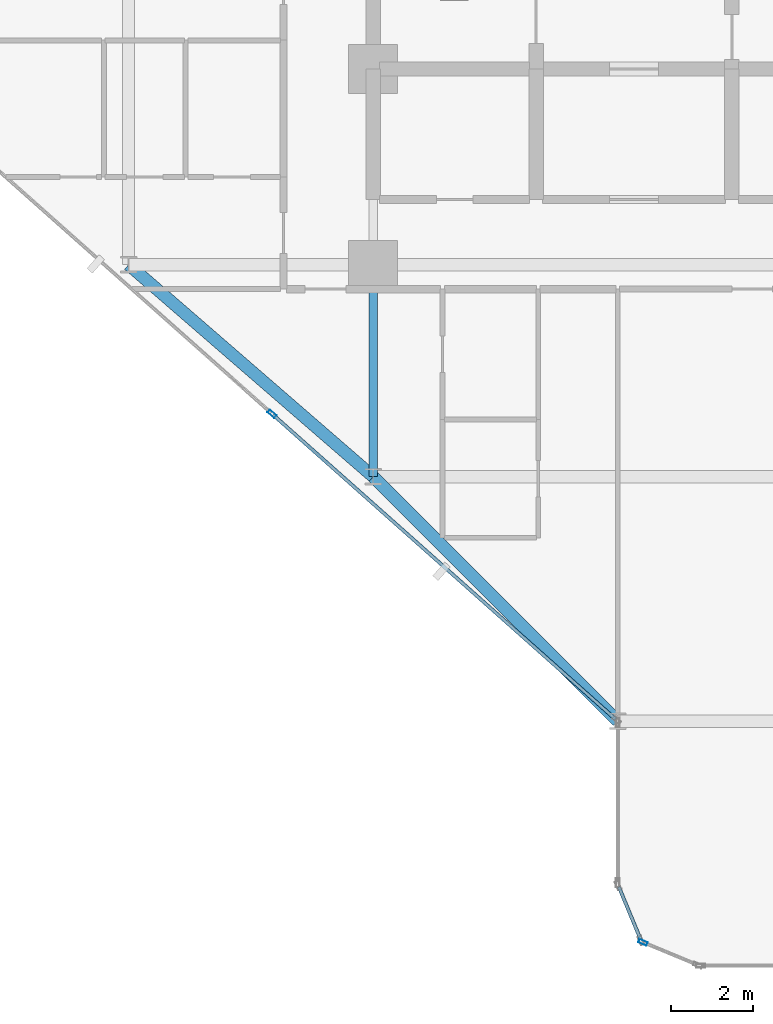
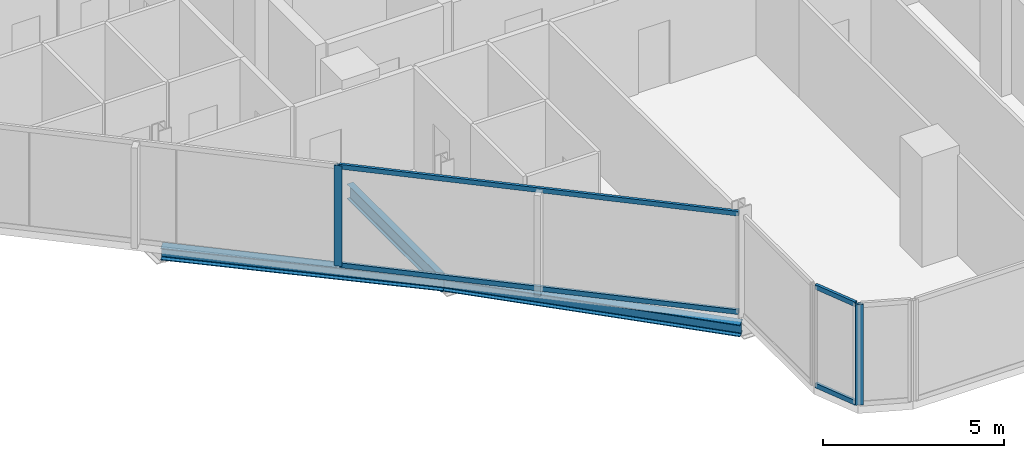
# One storey, part 3 of 34: 6 members, 3 beams, 3 elements without a shape of their own.
"""IFC4 building model written with IfcOpenShell, lengths in metres."""

from ifc_helpers import new_model, si_unit, direction, frame, origin, origin_2d, place, context, subcontext, project, spatial, hollow_rectangle, i_section, extrude, material, layer, layer_set, material_profile, profile_set, type_object, element, aggregate, save


model = new_model("IFC4")

# Units and contexts
model_context = context("Model", 3, precision=1e-05, world=origin(), true_north=direction((0.0, 1.0)))
body_context = subcontext(model_context, "Body", "Model", "MODEL_VIEW")
ifc_project = project(units=[si_unit("LENGTHUNIT", "METRE"), si_unit("AREAUNIT", "SQUARE_METRE"), si_unit("VOLUMEUNIT", "CUBIC_METRE"), si_unit("PLANEANGLEUNIT", "RADIAN"), si_unit("MASSUNIT", "GRAM", prefix="KILO")], contexts=[model_context])

# Site, building, storey
site_placement = place(None, origin())
site = spatial("IfcSite", under=ifc_project, at=site_placement, CompositionType="ELEMENT")
building_placement = place(site_placement, origin())
building = spatial("IfcBuilding", under=site, at=building_placement, Name="Keshet Zoharim Tower", CompositionType="ELEMENT")
storey_placement = place(building_placement, frame((0.0, 0.0, 53.60009765625)))
storey = spatial("IfcBuildingStorey", under=building, at=storey_placement, Name="L12", CompositionType="ELEMENT", Elevation=53.60009765625)

# Beams
ifc_material_1 = material(Name="Steel S355", Category="steel")
ifc_material_profile_1 = material_profile(ifc_material_1, i_section(OverallWidth=0.199951171875, OverallDepth=0.5, WebThickness=0.01025390625, FlangeThickness=0.01611328125, FilletRadius=0.02099609375, at=origin_2d()), Name="IPE500")
ifc_profile_set_1 = profile_set([ifc_material_profile_1], Name="Steel S355")
beam_type_1 = type_object("IfcBeamType", Name="BM-PRI-IP500", PredefinedType="BEAM", material=ifc_profile_set_1)
beam_1_placement = place(storey_placement, frame((15.0, 12.699951171875, -0.565185546875), z_axis=(0.0, 1.0, 0.0), x_axis=(-1.0, 0.0, 0.0)))
element("IfcBeam", 1, at=beam_1_placement, inside=storey, type_object=beam_type_1, Name="L12 Primary Girder Y-002", PredefinedType="BEAM", context=body_context, shape_type="SweptSolid", body=[
    extrude(i_section(OverallWidth=0.199951171875, OverallDepth=0.5, WebThickness=0.01025390625, FlangeThickness=0.01611328125, FilletRadius=0.02099609375, at=origin_2d()), origin(), (0.0, 0.0, 1.0), 5.199951171875),
])
ifc_material_profile_2 = material_profile(ifc_material_1, i_section(OverallWidth=0.300048828125, OverallDepth=0.39990234375, WebThickness=0.013427734375, FlangeThickness=0.02392578125, FilletRadius=0.027099609375, at=origin_2d()), Name="HEB400")
ifc_profile_set_2 = profile_set([ifc_material_profile_2], Name="Steel S355")
beam_type_2 = type_object("IfcBeamType", Name="BM-SPN-HB400", PredefinedType="SPANDREL", material=ifc_profile_set_2)
beam_2_placement = place(storey_placement, frame((21.0, 6.699951171875, -0.51513671875), z_axis=(-0.707106781187, 0.707106781187, 0.0), x_axis=(-0.707106781187, -0.707106781187, 0.0)))
element("IfcBeam", 2, at=beam_2_placement, inside=storey, type_object=beam_type_2, Name="L12 Perimeter Spandrel Beam 01", PredefinedType="SPANDREL", context=body_context, shape_type="SweptSolid", body=[
    extrude(i_section(OverallWidth=0.300048828125, OverallDepth=0.39990234375, WebThickness=0.013427734375, FlangeThickness=0.02392578125, FilletRadius=0.027099609375, at=origin_2d()), origin(), (0.0, 0.0, 1.0), 8.4853515625),
])
beam_3_placement = place(storey_placement, frame((9.0, 17.89990234375, -0.51513671875), z_axis=(0.755692126483, -0.654927026447, 0.0), x_axis=(0.654927026447, 0.755692126483, 0.0)))
element("IfcBeam", 3, at=beam_3_placement, inside=storey, type_object=beam_type_2, Name="L12 Perimeter Spandrel Beam 02", PredefinedType="SPANDREL", context=body_context, shape_type="SweptSolid", body=[
    extrude(i_section(OverallWidth=0.300048828125, OverallDepth=0.39990234375, WebThickness=0.013427734375, FlangeThickness=0.02392578125, FilletRadius=0.027099609375, at=origin_2d()), origin(), (0.0, 0.0, 1.0), 7.939697265625),
])

# Curtain wall, member
ifc_material_2 = material(Name="Aluminium 6063-T6", Category="aluminium")
ifc_layer = layer(ifc_material_2, 0.179931640625)
ifc_layer_set = layer_set([ifc_layer], Name="Aluminium 6063-T6")
curtain_wall_type = type_object("IfcCurtainWallType", Name="CW-SYS-01", PredefinedType="NOTDEFINED", material=ifc_layer_set)
curtain_wall_1_placement = place(storey_placement, origin())
curtain_wall_1 = element("IfcCurtainWall", 4, at=curtain_wall_1_placement, inside=storey, type_object=curtain_wall_type, Name="L12 Unitised Curtain Wall 01", PredefinedType="NOTDEFINED")
ifc_material_profile_3 = material_profile(ifc_material_2, hollow_rectangle(XDim=0.090087890625, YDim=0.219970703125, WallThickness=0.0048828125, at=origin_2d()), Name="MUL-90x220")
ifc_profile_set_3 = profile_set([ifc_material_profile_3], Name="Aluminium 6063-T6")
member_type_1 = type_object("IfcMemberType", Name="CWM-M22", PredefinedType="MULLION", material=ifc_profile_set_3)
member_1_placement = place(storey_placement, frame((12.517578125, 14.239990234375, 0.0), z_axis=(0.0, 0.0, 1.0), x_axis=(-0.664363838836, -0.747409318679, 0.0)))
member_1 = element("IfcMember", 5, at=member_1_placement, type_object=member_type_1, Name="CW-01 mullion 2", PredefinedType="MULLION", context=body_context, shape_type="SweptSolid", body=[
    extrude(hollow_rectangle(XDim=0.090087890625, YDim=0.219970703125, WallThickness=0.0048828125, at=origin_2d()), origin(), (0.0, 0.0, 1.0), 3.385009765625),
])

curtain_wall_2_placement = place(storey_placement, origin())
curtain_wall_2 = element("IfcCurtainWall", 6, at=curtain_wall_2_placement, inside=storey, type_object=curtain_wall_type, Name="L12 Unitised Curtain Wall 27", PredefinedType="NOTDEFINED")
member_2_placement = place(storey_placement, frame((21.618408203125, 1.272705078125, 0.0), z_axis=(0.0, 0.0, 1.0), x_axis=(-0.382851849847, -0.92380975372, 0.0)))
member_2 = element("IfcMember", 7, at=member_2_placement, type_object=member_type_1, Name="CW-01 mullion 2", PredefinedType="MULLION", context=body_context, shape_type="SweptSolid", body=[
    extrude(hollow_rectangle(XDim=0.090087890625, YDim=0.219970703125, WallThickness=0.0048828125, at=origin_2d()), origin(), (0.0, 0.0, 1.0), 3.385009765625),
])
aggregate(curtain_wall_2, [member_2])

# Member
ifc_material_profile_4 = material_profile(ifc_material_2, hollow_rectangle(XDim=0.0849609375, YDim=0.159912109375, WallThickness=0.00439453125, at=origin_2d()), Name="TRN-85x160")
ifc_profile_set_4 = profile_set([ifc_material_profile_4], Name="Aluminium 6063-T6")
member_type_2 = type_object("IfcMemberType", Name="CWT-T16", PredefinedType="USERDEFINED", material=ifc_profile_set_4)
member_3_placement = place(storey_placement, frame((20.94775390625, 6.74658203125, 0.034912109375), z_axis=(-0.747411714548, 0.664361143472, 0.0), x_axis=(-0.664361143472, -0.747411714548, 0.0)))
member_3 = element("IfcMember", 8, at=member_3_placement, type_object=member_type_2, Name="CW-01 transom 1.1", ObjectType="TRANSOM", PredefinedType="USERDEFINED", context=body_context, shape_type="SweptSolid", body=[
    extrude(hollow_rectangle(XDim=0.0849609375, YDim=0.159912109375, WallThickness=0.00439453125, at=origin_2d()), origin(), (0.0, 0.0, 1.0), 11.244140625),
])

member_4_placement = place(storey_placement, frame((20.94775390625, 6.74658203125, 3.349853515625), z_axis=(-0.747411714548, 0.664361143472, 0.0), x_axis=(-0.664361143472, -0.747411714548, 0.0)))
member_4 = element("IfcMember", 9, at=member_4_placement, type_object=member_type_2, Name="CW-01 transom 1.2", ObjectType="TRANSOM", PredefinedType="USERDEFINED", context=body_context, shape_type="SweptSolid", body=[
    extrude(hollow_rectangle(XDim=0.0849609375, YDim=0.159912109375, WallThickness=0.00439453125, at=origin_2d()), origin(), (0.0, 0.0, 1.0), 11.244140625),
])

aggregate(curtain_wall_1, [member_1, member_3, member_4])

# Curtain wall, members
curtain_wall_3_placement = place(storey_placement, origin())
curtain_wall_3 = element("IfcCurtainWall", 10, at=curtain_wall_3_placement, inside=storey, type_object=curtain_wall_type, Name="L12 Unitised Curtain Wall 28", PredefinedType="NOTDEFINED")
member_5_placement = place(storey_placement, frame((21.55908203125, 1.3505859375, 0.034912109375), z_axis=(-0.382744609247, 0.923854189844, 0.0), x_axis=(-0.923854189844, -0.382744609247, 0.0)))
member_5 = element("IfcMember", 11, at=member_5_placement, type_object=member_type_2, Name="CW-01 transom 1.1", ObjectType="TRANSOM", PredefinedType="USERDEFINED", context=body_context, shape_type="SweptSolid", body=[
    extrude(hollow_rectangle(XDim=0.0849609375, YDim=0.159912109375, WallThickness=0.00439453125, at=origin_2d()), origin(), (0.0, 0.0, 1.0), 1.390625),
])
member_6_placement = place(storey_placement, frame((21.55908203125, 1.3505859375, 3.349853515625), z_axis=(-0.382744609247, 0.923854189844, 0.0), x_axis=(-0.923854189844, -0.382744609247, 0.0)))
member_6 = element("IfcMember", 12, at=member_6_placement, type_object=member_type_2, Name="CW-01 transom 1.2", ObjectType="TRANSOM", PredefinedType="USERDEFINED", context=body_context, shape_type="SweptSolid", body=[
    extrude(hollow_rectangle(XDim=0.0849609375, YDim=0.159912109375, WallThickness=0.00439453125, at=origin_2d()), origin(), (0.0, 0.0, 1.0), 1.390625),
])
aggregate(curtain_wall_3, [member_5, member_6])

save(model, "model.ifc")
